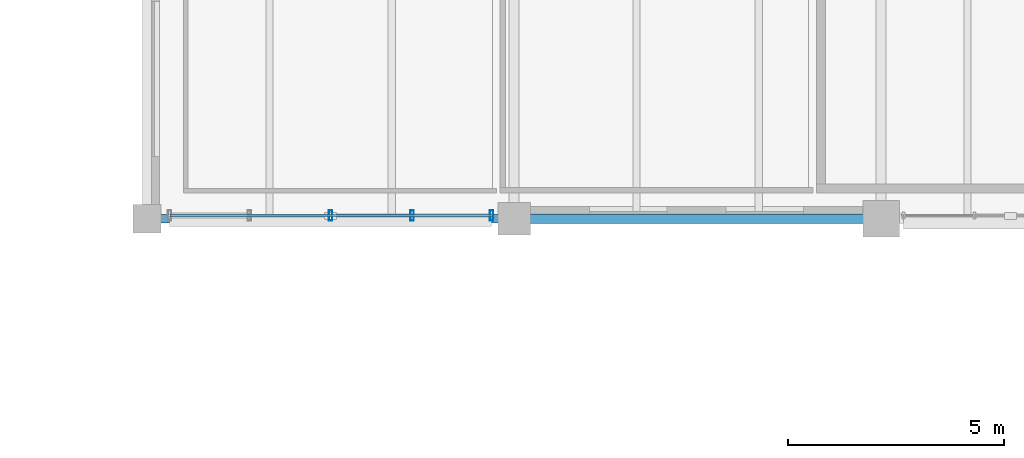
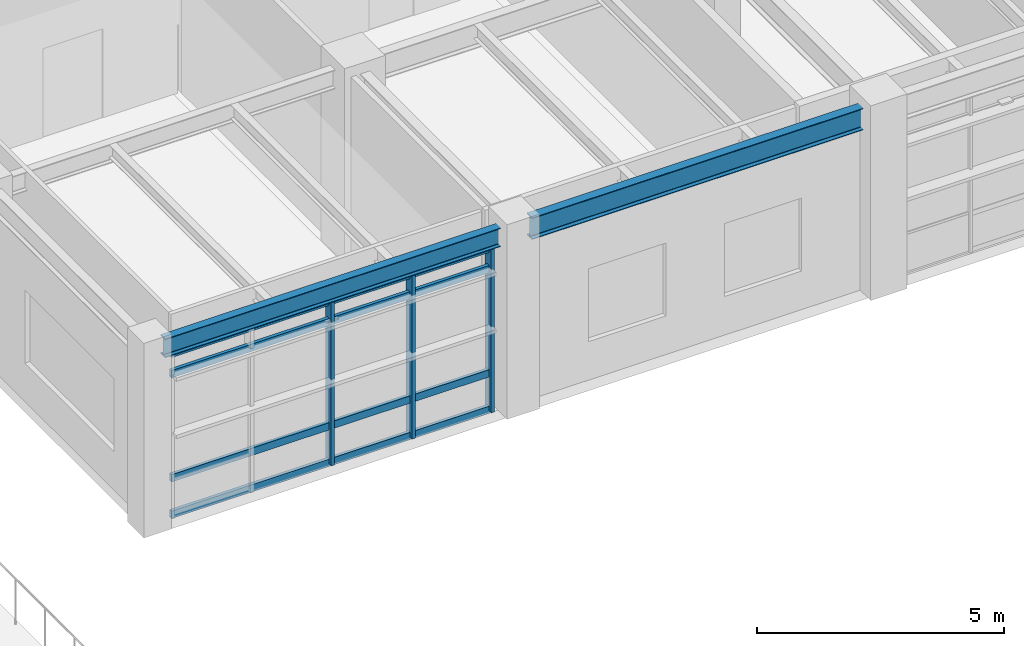
# One storey, part 107 of 200: 7 members, 2 beams, 1 element without a shape of its own.
"""IFC4 building model written with IfcOpenShell, lengths in metres."""

from ifc_helpers import new_model, si_unit, direction, frame, origin, origin_2d, place, context, subcontext, project, spatial, hollow_rectangle, i_section, extrude, material, material_profile, profile_set, type_object, element, aggregate, save


model = new_model("IFC4")

# Units and contexts
model_context = context("Model", 3, precision=1e-05, world=origin(), true_north=direction((0.0, 1.0)))
body_context = subcontext(model_context, "Body", "Model", "MODEL_VIEW")
ifc_project = project(units=[si_unit("LENGTHUNIT", "METRE"), si_unit("AREAUNIT", "SQUARE_METRE"), si_unit("VOLUMEUNIT", "CUBIC_METRE"), si_unit("PLANEANGLEUNIT", "RADIAN"), si_unit("MASSUNIT", "GRAM", prefix="KILO"), si_unit("THERMODYNAMICTEMPERATUREUNIT", "KELVIN"), si_unit("POWERUNIT", "WATT")], contexts=[model_context])

# Site, building, storey
site_placement = place(None, origin())
site = spatial("IfcSite", under=ifc_project, at=site_placement, CompositionType="ELEMENT")
building_placement = place(site_placement, origin())
building = spatial("IfcBuilding", under=site, at=building_placement, Name="Tepalcoro Natatorium and Aquatics Centre", CompositionType="ELEMENT")
storey_placement = place(building_placement, frame((0.0, 0.0, 5.39990234375)))
storey = spatial("IfcBuildingStorey", under=building, at=storey_placement, Name="L01", CompositionType="ELEMENT", Elevation=5.39990234375)

# Curtain wall, members
ifc_material_1 = material(Name="Bronze-Anodised Extruded Aluminium Alloy EN AW-6063 T6", Category="aluminium")
curtain_wall_type = type_object("IfcCurtainWallType", Name="CW_V2_DIVING", PredefinedType="USERDEFINED", material=ifc_material_1)
curtain_wall_placement = place(storey_placement, origin())
curtain_wall = element("IfcCurtainWall", 1, at=curtain_wall_placement, inside=storey, type_object=curtain_wall_type, Name="V2 L01 S Unitised Curtain Wall Bay 1", ObjectType="FACETED SOLAR GLAZING", PredefinedType="USERDEFINED")
ifc_material_profile_1 = material_profile(ifc_material_1, hollow_rectangle(XDim=0.080078125, YDim=0.239990234375, WallThickness=0.0048828125, at=origin_2d()), Name="AL80X240X5")
ifc_profile_set_1 = profile_set([ifc_material_profile_1], Name="Bronze-Anodised Extruded Aluminium Alloy EN AW-6063 T6")
member_type_1 = type_object("IfcMemberType", Name="CW_MUL_80x240", PredefinedType="MULLION", material=ifc_profile_set_1)
member_1_placement = place(storey_placement, frame((146.25, 6.576171875, 0.02001953125), z_axis=(0.0, 0.0, 1.0), x_axis=(1.0, 0.0, 0.0)))
member_1 = element("IfcMember", 2, at=member_1_placement, type_object=member_type_1, Name="CW_V2_DIVING Curtain Wall Mullion", PredefinedType="MULLION", context=body_context, shape_type="SweptSolid", body=[
    extrude(hollow_rectangle(XDim=0.080078125, YDim=0.239990234375, WallThickness=0.0048828125, at=origin_2d()), origin(), (0.0, 0.0, 1.0), 4.030029296875),
])
member_2_placement = place(storey_placement, frame((148.135009765625, 6.576171875, 0.02001953125), z_axis=(0.0, 0.0, 1.0), x_axis=(1.0, 0.0, 0.0)))
member_2 = element("IfcMember", 3, at=member_2_placement, type_object=member_type_1, Name="CW_V2_DIVING Curtain Wall Mullion", PredefinedType="MULLION", context=body_context, shape_type="SweptSolid", body=[
    extrude(hollow_rectangle(XDim=0.080078125, YDim=0.239990234375, WallThickness=0.0048828125, at=origin_2d()), origin(), (0.0, 0.0, 1.0), 4.030029296875),
])
member_3_placement = place(storey_placement, frame((149.97998046875, 6.576171875, 0.02001953125), z_axis=(0.0, 0.0, 1.0), x_axis=(1.0, 0.0, 0.0)))
member_3 = element("IfcMember", 4, at=member_3_placement, type_object=member_type_1, Name="CW_V2_DIVING Curtain Wall Mullion", PredefinedType="MULLION", context=body_context, shape_type="SweptSolid", body=[
    extrude(hollow_rectangle(XDim=0.080078125, YDim=0.239990234375, WallThickness=0.0048828125, at=origin_2d()), origin(), (0.0, 0.0, 1.0), 4.030029296875),
])
ifc_material_profile_2 = material_profile(ifc_material_1, hollow_rectangle(XDim=0.080078125, YDim=0.179931640625, WallThickness=0.0048828125, at=origin_2d()), Name="AL80X180X5")
ifc_profile_set_2 = profile_set([ifc_material_profile_2], Name="Bronze-Anodised Extruded Aluminium Alloy EN AW-6063 T6")
member_type_2 = type_object("IfcMemberType", Name="CW_TRN_80x180", PredefinedType="USERDEFINED", material=ifc_profile_set_2)
member_4_placement = place(storey_placement, frame((142.530029296875, 6.576171875, 0.050048828125), z_axis=(1.0, 0.0, 0.0), x_axis=(0.0, 1.0, 0.0)))
member_4 = element("IfcMember", 5, at=member_4_placement, type_object=member_type_2, Name="CW_V2_DIVING Curtain Wall Transom", ObjectType="TRANSOM", PredefinedType="USERDEFINED", context=body_context, shape_type="SweptSolid", body=[
    extrude(hollow_rectangle(XDim=0.080078125, YDim=0.179931640625, WallThickness=0.0048828125, at=origin_2d()), origin(), (0.0, 0.0, 1.0), 7.43994140625),
])
member_5_placement = place(storey_placement, frame((142.530029296875, 6.576171875, 0.9501953125), z_axis=(1.0, 0.0, 0.0), x_axis=(0.0, 1.0, 0.0)))
member_5 = element("IfcMember", 6, at=member_5_placement, type_object=member_type_2, Name="CW_V2_DIVING Curtain Wall Transom", ObjectType="TRANSOM", PredefinedType="USERDEFINED", context=body_context, shape_type="SweptSolid", body=[
    extrude(hollow_rectangle(XDim=0.080078125, YDim=0.179931640625, WallThickness=0.0048828125, at=origin_2d()), origin(), (0.0, 0.0, 1.0), 7.43994140625),
])
member_6_placement = place(storey_placement, frame((142.530029296875, 6.576171875, 3.52001953125), z_axis=(1.0, 0.0, 0.0), x_axis=(0.0, 1.0, 0.0)))
member_6 = element("IfcMember", 7, at=member_6_placement, type_object=member_type_2, Name="CW_V2_DIVING Curtain Wall Transom", ObjectType="TRANSOM", PredefinedType="USERDEFINED", context=body_context, shape_type="SweptSolid", body=[
    extrude(hollow_rectangle(XDim=0.080078125, YDim=0.179931640625, WallThickness=0.0048828125, at=origin_2d()), origin(), (0.0, 0.0, 1.0), 7.43994140625),
])
member_7_placement = place(storey_placement, frame((142.530029296875, 6.576171875, 4.02001953125), z_axis=(1.0, 0.0, 0.0), x_axis=(0.0, 1.0, 0.0)))
member_7 = element("IfcMember", 8, at=member_7_placement, type_object=member_type_2, Name="CW_V2_DIVING Curtain Wall Transom", ObjectType="TRANSOM", PredefinedType="USERDEFINED", context=body_context, shape_type="SweptSolid", body=[
    extrude(hollow_rectangle(XDim=0.080078125, YDim=0.179931640625, WallThickness=0.0048828125, at=origin_2d()), origin(), (0.0, 0.0, 1.0), 7.43994140625),
])
aggregate(curtain_wall, [member_1, member_2, member_3, member_4, member_5, member_6, member_7])

# Beams
ifc_material_2 = material(Name="Steel ASTM A992 Grade 50 (Fy 345 MPa)", Category="steel")
ifc_material_profile_3 = material_profile(ifc_material_2, i_section(OverallWidth=0.19091796875, OverallDepth=0.4599609375, WebThickness=0.010009765625, FlangeThickness=0.01611328125, FilletRadius=0.013916015625, at=origin_2d()), Name="W18X55")
ifc_profile_set_3 = profile_set([ifc_material_profile_3], Name="Steel ASTM A992 Grade 50 (Fy 345 MPa)")
beam_type_1 = type_object("IfcBeamType", Name="SP_W18x55", PredefinedType="SPANDREL", material=ifc_profile_set_3)
beam_1_placement = place(storey_placement, frame((142.31005859375, 6.5, 4.315185546875), z_axis=(1.0, 0.0, 0.0), x_axis=(0.0, 1.0, 0.0)))
element("IfcBeam", 9, at=beam_1_placement, inside=storey, type_object=beam_type_1, Name="V2 L01 Grid Girder X", PredefinedType="SPANDREL", context=body_context, shape_type="SweptSolid", body=[
    extrude(i_section(OverallWidth=0.19091796875, OverallDepth=0.4599609375, WebThickness=0.010009765625, FlangeThickness=0.01611328125, FilletRadius=0.013916015625, at=origin_2d()), origin(), (0.0, 0.0, 1.0), 7.829833984375),
])
ifc_material_profile_4 = material_profile(ifc_material_2, i_section(OverallWidth=0.2099609375, OverallDepth=0.535888671875, WebThickness=0.010986328125, FlangeThickness=0.01708984375, FilletRadius=0.013916015625, at=origin_2d()), Name="W21X68")
ifc_profile_set_4 = profile_set([ifc_material_profile_4], Name="Steel ASTM A992 Grade 50 (Fy 345 MPa)")
beam_type_2 = type_object("IfcBeamType", Name="SP_W21x68", PredefinedType="SPANDREL", material=ifc_profile_set_4)
beam_2_placement = place(storey_placement, frame((150.860107421875, 6.5, 4.277099609375), z_axis=(1.0, 0.0, 0.0), x_axis=(0.0, 1.0, 0.0)))
element("IfcBeam", 10, at=beam_2_placement, inside=storey, type_object=beam_type_2, Name="V2 L01 Grid Girder X", PredefinedType="SPANDREL", context=body_context, shape_type="SweptSolid", body=[
    extrude(i_section(OverallWidth=0.2099609375, OverallDepth=0.535888671875, WebThickness=0.010986328125, FlangeThickness=0.01708984375, FilletRadius=0.013916015625, at=origin_2d()), origin(), (0.0, 0.0, 1.0), 7.72998046875),
])

save(model, "model.ifc")
